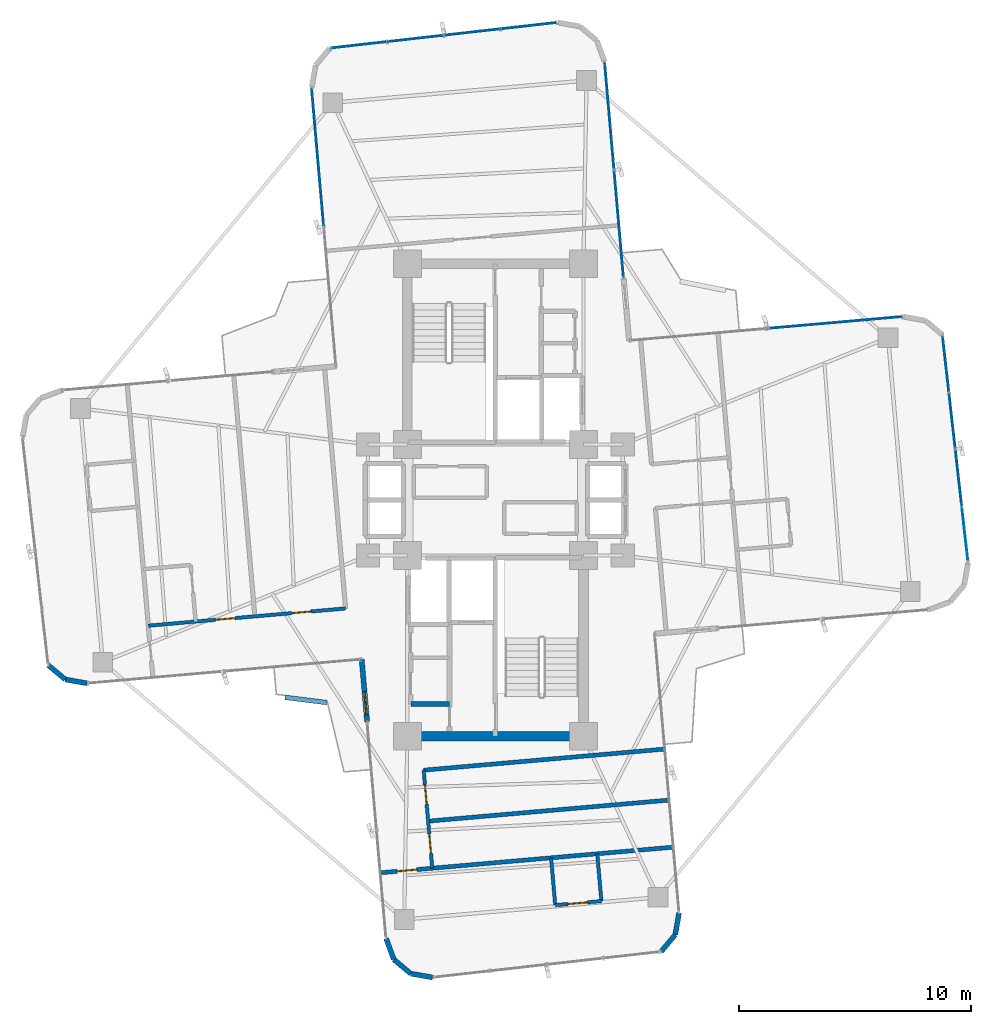
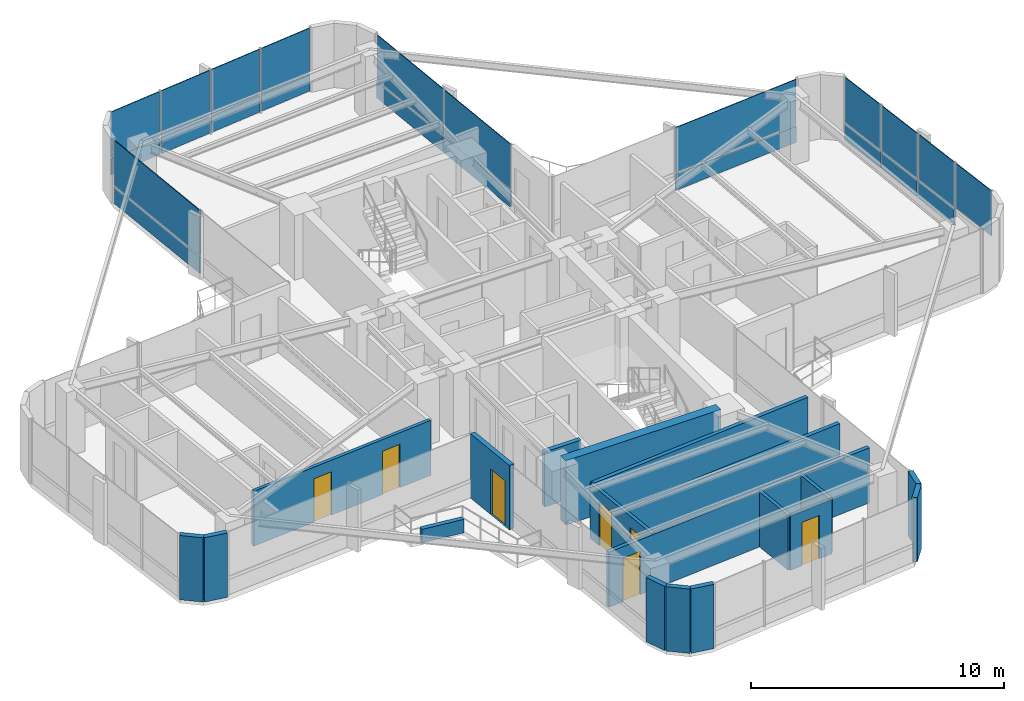
# One storey, part 20 of 24: 23 plates, 19 walls, 7 doors, 7 openings, 5 elements without a shape of their own.
"""IFC4 building model written with IfcOpenShell, lengths in metres."""

from ifc_helpers import new_model, si_unit, direction, frame, frame_2d, origin, origin_2d, place, context, subcontext, project, spatial, rectangle, extrude, source, transform, mapped, material, layer, layer_set, type_object, element, fill, aggregate, save


model = new_model("IFC4")

# Units and contexts
model_context = context("Model", 3, precision=1e-05, world=origin(), true_north=direction((0.0, 1.0)))
body_context = subcontext(model_context, "Body", "Model", "MODEL_VIEW")
ifc_project = project(units=[si_unit("LENGTHUNIT", "METRE"), si_unit("AREAUNIT", "SQUARE_METRE"), si_unit("VOLUMEUNIT", "CUBIC_METRE"), si_unit("PLANEANGLEUNIT", "RADIAN"), si_unit("MASSUNIT", "GRAM", prefix="KILO")], contexts=[model_context])

# Site, building, storey
site_placement = place(None, origin())
site = spatial("IfcSite", under=ifc_project, at=site_placement, CompositionType="ELEMENT")
building_placement = place(site_placement, origin())
building = spatial("IfcBuilding", under=site, at=building_placement, Name="Sahyath Konkavel Grand Hotel", CompositionType="ELEMENT")
storey_placement = place(building_placement, frame((0.0, 0.0, 195.300048828125)))
storey = spatial("IfcBuildingStorey", under=building, at=storey_placement, Name="L54", CompositionType="ELEMENT", Elevation=195.300048828125)

# Curtain wall, plates
ifc_material_1 = material(Name="Anodised Bronze Aluminium & Low-E Glazing", Category="aluminium")
curtain_wall_type = type_object("IfcCurtainWallType", Name="CW-ZONE3", PredefinedType="NOTDEFINED", material=ifc_material_1)
curtain_wall_1_placement = place(storey_placement, origin())
curtain_wall_1 = element("IfcCurtainWall", 1, at=curtain_wall_1_placement, inside=storey, type_object=curtain_wall_type, Name="L54 Unitised Curtain Wall F4", PredefinedType="NOTDEFINED")
ifc_material_2 = material(Name="Warm Buff Sandstone Cladding", Category="masonry")
ifc_layer_1 = layer(ifc_material_2, 0.074951171875)
ifc_layer_set_1 = layer_set([ifc_layer_1], Name="Warm Buff Sandstone Cladding")
plate_type_1 = type_object("IfcPlateType", Name="PNL-SPANDREL-STONE", PredefinedType="SHEET", material=ifc_layer_set_1)
shared_shape_1 = source(origin(), body_context, "Body", "SweptSolid", [
    extrude(rectangle(XDim=2.382080078125, YDim=0.074951171875, at=origin_2d()), origin(), (0.0, 0.0, 1.0), 0.77001953125),
])
plate_1_placement = place(storey_placement, frame((19.99755859375, 0.978515625, 0.0400390625), z_axis=(0.0, 0.0, 1.0), x_axis=(-0.111989252568, 0.993709417943, 0.0)))
plate_1 = element("IfcPlate", 2, at=plate_1_placement, type_object=plate_type_1, Name="L54 Sandstone Relief Spandrel Panel F4-1", PredefinedType="SHEET", context=body_context, shape_type="MappedRepresentation", body=[
    mapped(shared_shape_1, transform((0.0, 0.0, 0.0), scale=1.0)),
])
plate_2_placement = place(storey_placement, frame((19.7216796875, 3.425048828125, 0.0400390625), z_axis=(0.0, 0.0, 1.0), x_axis=(-0.111989252568, 0.993709417943, 0.0)))
plate_2 = element("IfcPlate", 3, at=plate_2_placement, type_object=plate_type_1, Name="L54 Sandstone Relief Spandrel Panel F4-2", PredefinedType="SHEET", context=body_context, shape_type="MappedRepresentation", body=[
    mapped(shared_shape_1, transform((0.0, 0.0, 0.0), scale=1.0)),
])
plate_3_placement = place(storey_placement, frame((19.446044921875, 5.87158203125, 0.0400390625), z_axis=(0.0, 0.0, 1.0), x_axis=(-0.111989252568, 0.993709417943, 0.0)))
plate_3 = element("IfcPlate", 4, at=plate_3_placement, type_object=plate_type_1, Name="L54 Sandstone Relief Spandrel Panel F4-3", PredefinedType="SHEET", context=body_context, shape_type="MappedRepresentation", body=[
    mapped(shared_shape_1, transform((0.0, 0.0, 0.0), scale=1.0)),
])

curtain_wall_2_placement = place(storey_placement, origin())
curtain_wall_2 = element("IfcCurtainWall", 5, at=curtain_wall_2_placement, inside=storey, type_object=curtain_wall_type, Name="L54 Unitised Curtain Wall F12", PredefinedType="NOTDEFINED")
plate_4_placement = place(storey_placement, frame((1.45068359375, 20.47265625, 0.0400390625), z_axis=(0.0, 0.0, 1.0), x_axis=(-0.993707463211, -0.112006596052, 0.0)))
plate_4 = element("IfcPlate", 6, at=plate_4_placement, type_object=plate_type_1, Name="L54 Sandstone Relief Spandrel Panel F12-0", PredefinedType="SHEET", context=body_context, shape_type="MappedRepresentation", body=[
    mapped(shared_shape_1, transform((0.0, 0.0, 0.0), scale=1.0)),
])
plate_5_placement = place(storey_placement, frame((-0.995849609375, 20.197021484375, 0.0400390625), z_axis=(0.0, 0.0, 1.0), x_axis=(-0.993707463211, -0.112006596052, 0.0)))
plate_5 = element("IfcPlate", 7, at=plate_5_placement, type_object=plate_type_1, Name="L54 Sandstone Relief Spandrel Panel F12-1", PredefinedType="SHEET", context=body_context, shape_type="MappedRepresentation", body=[
    mapped(shared_shape_1, transform((0.0, 0.0, 0.0), scale=1.0)),
])
plate_6_placement = place(storey_placement, frame((-3.4423828125, 19.921142578125, 0.0400390625), z_axis=(0.0, 0.0, 1.0), x_axis=(-0.993707463211, -0.112006596052, 0.0)))
plate_6 = element("IfcPlate", 8, at=plate_6_placement, type_object=plate_type_1, Name="L54 Sandstone Relief Spandrel Panel F12-2", PredefinedType="SHEET", context=body_context, shape_type="MappedRepresentation", body=[
    mapped(shared_shape_1, transform((0.0, 0.0, 0.0), scale=1.0)),
])
plate_7_placement = place(storey_placement, frame((-5.888916015625, 19.6455078125, 0.0400390625), z_axis=(0.0, 0.0, 1.0), x_axis=(-0.993707463211, -0.112006596052, 0.0)))
plate_7 = element("IfcPlate", 9, at=plate_7_placement, type_object=plate_type_1, Name="L54 Sandstone Relief Spandrel Panel F12-3", PredefinedType="SHEET", context=body_context, shape_type="MappedRepresentation", body=[
    mapped(shared_shape_1, transform((0.0, 0.0, 0.0), scale=1.0)),
])

# Curtain wall, plate
curtain_wall_3_placement = place(storey_placement, origin())
curtain_wall_3 = element("IfcCurtainWall", 10, at=curtain_wall_3_placement, inside=storey, type_object=curtain_wall_type, Name="L54 Unitised Curtain Wall F7", PredefinedType="NOTDEFINED")
shared_shape_2 = source(origin(), body_context, "Body", "SweptSolid", [
    extrude(rectangle(XDim=5.830078125, YDim=0.074951171875, at=origin_2d()), origin(), (0.0, 0.0, 1.0), 0.77001953125),
])
plate_8_placement = place(storey_placement, frame((14.6435546875, 7.655517578125, 0.0400390625), z_axis=(0.0, 0.0, 1.0), x_axis=(-0.996194698092, -0.087155742748, 0.0)))
plate_8 = element("IfcPlate", 11, at=plate_8_placement, type_object=plate_type_1, Name="L54 Sandstone Relief Spandrel Panel F7-0", PredefinedType="SHEET", context=body_context, shape_type="MappedRepresentation", body=[
    mapped(shared_shape_2, transform((0.0, 0.0, 0.0), scale=1.0)),
])

# Curtain wall, plates
curtain_wall_4_placement = place(storey_placement, origin())
curtain_wall_4 = element("IfcCurtainWall", 12, at=curtain_wall_4_placement, inside=storey, type_object=curtain_wall_type, Name="L54 Unitised Curtain Wall F8", PredefinedType="NOTDEFINED")
shared_shape_3 = source(origin(), body_context, "Body", "SweptSolid", [
    extrude(rectangle(XDim=4.580078125, YDim=0.074951171875, at=origin_2d()), origin(), (0.0, 0.0, 1.0), 0.77001953125),
])
plate_9_placement = place(storey_placement, frame((5.33056640625, 11.929931640625, 0.0400390625), z_axis=(0.0, 0.0, 1.0), x_axis=(-0.087155742748, 0.996194698092, 0.0)))
plate_9 = element("IfcPlate", 13, at=plate_9_placement, type_object=plate_type_1, Name="L54 Sandstone Relief Spandrel Panel F8-0", PredefinedType="SHEET", context=body_context, shape_type="MappedRepresentation", body=[
    mapped(shared_shape_3, transform((0.0, 0.0, 0.0), scale=1.0)),
])
plate_10_placement = place(storey_placement, frame((4.92431640625, 16.572265625, 0.0400390625), z_axis=(0.0, 0.0, 1.0), x_axis=(-0.087155742748, 0.996194698092, 0.0)))
plate_10 = element("IfcPlate", 14, at=plate_10_placement, type_object=plate_type_1, Name="L54 Sandstone Relief Spandrel Panel F8-1", PredefinedType="SHEET", context=body_context, shape_type="MappedRepresentation", body=[
    mapped(shared_shape_3, transform((0.0, 0.0, 0.0), scale=1.0)),
])

# Curtain wall, plate
curtain_wall_5_placement = place(storey_placement, origin())
curtain_wall_5 = element("IfcCurtainWall", 15, at=curtain_wall_5_placement, inside=storey, type_object=curtain_wall_type, Name="L54 Unitised Curtain Wall F15", PredefinedType="NOTDEFINED")
shared_shape_4 = source(origin(), body_context, "Body", "SweptSolid", [
    extrude(rectangle(XDim=5.929931640625, YDim=0.074951171875, at=origin_2d()), origin(), (0.0, 0.0, 1.0), 0.77001953125),
])
plate_11_placement = place(storey_placement, frame((-7.66845703125, 14.79296875, 0.0400390625), z_axis=(0.0, 0.0, 1.0), x_axis=(0.087155742748, -0.996194698092, 0.0)))
plate_11 = element("IfcPlate", 16, at=plate_11_placement, type_object=plate_type_1, Name="L54 Sandstone Relief Spandrel Panel F15-0", PredefinedType="SHEET", context=body_context, shape_type="MappedRepresentation", body=[
    mapped(shared_shape_4, transform((0.0, 0.0, 0.0), scale=1.0)),
])

# Plate
ifc_material_3 = material(Name="Low-E Solar Control Double Glazing", Category="glass")
ifc_layer_2 = layer(ifc_material_3, 0.035888671875)
ifc_layer_set_2 = layer_set([ifc_layer_2], Name="Low-E Solar Control Double Glazing")
plate_type_2 = type_object("IfcPlateType", Name="PNL-VISION-LOWE", PredefinedType="CURTAIN_PANEL", material=ifc_layer_set_2)
shared_shape_5 = source(origin(), body_context, "Body", "SweptSolid", [
    extrude(rectangle(XDim=2.382080078125, YDim=0.035888671875, at=origin_2d()), origin(), (0.0, 0.0, 1.0), 2.179931640625),
])
plate_12_placement = place(storey_placement, frame((20.2734375, -1.468017578125, 0.89013671875), z_axis=(0.0, 0.0, 1.0), x_axis=(-0.111989252568, 0.993709417943, 0.0)))
plate_12 = element("IfcPlate", 17, at=plate_12_placement, type_object=plate_type_2, Name="L54 Low-E Vision Glazing Panel F4-0", PredefinedType="CURTAIN_PANEL", context=body_context, shape_type="MappedRepresentation", body=[
    mapped(shared_shape_5, transform((0.0, 0.0, 0.0), scale=1.0)),
])

plate_13_placement = place(storey_placement, frame((19.99755859375, 0.978515625, 0.89013671875), z_axis=(0.0, 0.0, 1.0), x_axis=(-0.111989252568, 0.993709417943, 0.0)))
plate_13 = element("IfcPlate", 18, at=plate_13_placement, type_object=plate_type_2, Name="L54 Low-E Vision Glazing Panel F4-1", PredefinedType="CURTAIN_PANEL", context=body_context, shape_type="MappedRepresentation", body=[
    mapped(shared_shape_5, transform((0.0, 0.0, 0.0), scale=1.0)),
])

plate_14_placement = place(storey_placement, frame((19.7216796875, 3.425048828125, 0.89013671875), z_axis=(0.0, 0.0, 1.0), x_axis=(-0.111989252568, 0.993709417943, 0.0)))
plate_14 = element("IfcPlate", 19, at=plate_14_placement, type_object=plate_type_2, Name="L54 Low-E Vision Glazing Panel F4-2", PredefinedType="CURTAIN_PANEL", context=body_context, shape_type="MappedRepresentation", body=[
    mapped(shared_shape_5, transform((0.0, 0.0, 0.0), scale=1.0)),
])

plate_15_placement = place(storey_placement, frame((19.446044921875, 5.87158203125, 0.89013671875), z_axis=(0.0, 0.0, 1.0), x_axis=(-0.111989252568, 0.993709417943, 0.0)))
plate_15 = element("IfcPlate", 20, at=plate_15_placement, type_object=plate_type_2, Name="L54 Low-E Vision Glazing Panel F4-3", PredefinedType="CURTAIN_PANEL", context=body_context, shape_type="MappedRepresentation", body=[
    mapped(shared_shape_5, transform((0.0, 0.0, 0.0), scale=1.0)),
])

aggregate(curtain_wall_1, [plate_12, plate_1, plate_13, plate_2, plate_14, plate_3, plate_15])

plate_16_placement = place(storey_placement, frame((1.45068359375, 20.47265625, 0.89013671875), z_axis=(0.0, 0.0, 1.0), x_axis=(-0.993707463211, -0.112006596052, 0.0)))
plate_16 = element("IfcPlate", 21, at=plate_16_placement, type_object=plate_type_2, Name="L54 Low-E Vision Glazing Panel F12-0", PredefinedType="CURTAIN_PANEL", context=body_context, shape_type="MappedRepresentation", body=[
    mapped(shared_shape_5, transform((0.0, 0.0, 0.0), scale=1.0)),
])

plate_17_placement = place(storey_placement, frame((-0.995849609375, 20.197021484375, 0.89013671875), z_axis=(0.0, 0.0, 1.0), x_axis=(-0.993707463211, -0.112006596052, 0.0)))
plate_17 = element("IfcPlate", 22, at=plate_17_placement, type_object=plate_type_2, Name="L54 Low-E Vision Glazing Panel F12-1", PredefinedType="CURTAIN_PANEL", context=body_context, shape_type="MappedRepresentation", body=[
    mapped(shared_shape_5, transform((0.0, 0.0, 0.0), scale=1.0)),
])

plate_18_placement = place(storey_placement, frame((-3.4423828125, 19.921142578125, 0.89013671875), z_axis=(0.0, 0.0, 1.0), x_axis=(-0.993707463211, -0.112006596052, 0.0)))
plate_18 = element("IfcPlate", 23, at=plate_18_placement, type_object=plate_type_2, Name="L54 Low-E Vision Glazing Panel F12-2", PredefinedType="CURTAIN_PANEL", context=body_context, shape_type="MappedRepresentation", body=[
    mapped(shared_shape_5, transform((0.0, 0.0, 0.0), scale=1.0)),
])

plate_19_placement = place(storey_placement, frame((-5.888916015625, 19.6455078125, 0.89013671875), z_axis=(0.0, 0.0, 1.0), x_axis=(-0.993707463211, -0.112006596052, 0.0)))
plate_19 = element("IfcPlate", 24, at=plate_19_placement, type_object=plate_type_2, Name="L54 Low-E Vision Glazing Panel F12-3", PredefinedType="CURTAIN_PANEL", context=body_context, shape_type="MappedRepresentation", body=[
    mapped(shared_shape_5, transform((0.0, 0.0, 0.0), scale=1.0)),
])

aggregate(curtain_wall_2, [plate_4, plate_16, plate_5, plate_17, plate_6, plate_18, plate_7, plate_19])

shared_shape_6 = source(origin(), body_context, "Body", "SweptSolid", [
    extrude(rectangle(XDim=5.830078125, YDim=0.035888671875, at=origin_2d()), origin(), (0.0, 0.0, 1.0), 2.179931640625),
])
plate_20_placement = place(storey_placement, frame((14.6435546875, 7.655517578125, 0.89013671875), z_axis=(0.0, 0.0, 1.0), x_axis=(-0.996194698092, -0.087155742748, 0.0)))
plate_20 = element("IfcPlate", 25, at=plate_20_placement, type_object=plate_type_2, Name="L54 Low-E Vision Glazing Panel F7-0", PredefinedType="CURTAIN_PANEL", context=body_context, shape_type="MappedRepresentation", body=[
    mapped(shared_shape_6, transform((0.0, 0.0, 0.0), scale=1.0)),
])

aggregate(curtain_wall_3, [plate_8, plate_20])

shared_shape_7 = source(origin(), body_context, "Body", "SweptSolid", [
    extrude(rectangle(XDim=4.580078125, YDim=0.035888671875, at=origin_2d()), origin(), (0.0, 0.0, 1.0), 2.179931640625),
])
plate_21_placement = place(storey_placement, frame((5.33056640625, 11.929931640625, 0.89013671875), z_axis=(0.0, 0.0, 1.0), x_axis=(-0.087155742748, 0.996194698092, 0.0)))
plate_21 = element("IfcPlate", 26, at=plate_21_placement, type_object=plate_type_2, Name="L54 Low-E Vision Glazing Panel F8-0", PredefinedType="CURTAIN_PANEL", context=body_context, shape_type="MappedRepresentation", body=[
    mapped(shared_shape_7, transform((0.0, 0.0, 0.0), scale=1.0)),
])

plate_22_placement = place(storey_placement, frame((4.92431640625, 16.572265625, 0.89013671875), z_axis=(0.0, 0.0, 1.0), x_axis=(-0.087155742748, 0.996194698092, 0.0)))
plate_22 = element("IfcPlate", 27, at=plate_22_placement, type_object=plate_type_2, Name="L54 Low-E Vision Glazing Panel F8-1", PredefinedType="CURTAIN_PANEL", context=body_context, shape_type="MappedRepresentation", body=[
    mapped(shared_shape_7, transform((0.0, 0.0, 0.0), scale=1.0)),
])

aggregate(curtain_wall_4, [plate_9, plate_21, plate_10, plate_22])

shared_shape_8 = source(origin(), body_context, "Body", "SweptSolid", [
    extrude(rectangle(XDim=5.929931640625, YDim=0.035888671875, at=origin_2d()), origin(), (0.0, 0.0, 1.0), 2.179931640625),
])
plate_23_placement = place(storey_placement, frame((-7.66845703125, 14.79296875, 0.89013671875), z_axis=(0.0, 0.0, 1.0), x_axis=(0.087155742748, -0.996194698092, 0.0)))
plate_23 = element("IfcPlate", 28, at=plate_23_placement, type_object=plate_type_2, Name="L54 Low-E Vision Glazing Panel F15-0", PredefinedType="CURTAIN_PANEL", context=body_context, shape_type="MappedRepresentation", body=[
    mapped(shared_shape_8, transform((0.0, 0.0, 0.0), scale=1.0)),
])

aggregate(curtain_wall_5, [plate_11, plate_23])

# Walls
ifc_material_4 = material(Name="Concrete C50/60", Category="concrete")
ifc_layer_3 = layer(ifc_material_4, 0.419921875)
ifc_layer_set_3 = layer_set([ifc_layer_3], Name="Concrete C50/60")
wall_type_1 = type_object("IfcWallType", Name="CWALL-420", PredefinedType="SHEAR", material=ifc_layer_set_3)
wall_1_placement = place(storey_placement, frame((-3.550048828125, -10.199951171875, 0.0), z_axis=(0.0, 0.0, 1.0), x_axis=(1.0, 0.0, 0.0)))
element("IfcWall", 29, at=wall_1_placement, inside=storey, type_object=wall_type_1, Name="L54 South Core Shear Wall S", PredefinedType="SHEAR", context=body_context, shape_type="SweptSolid", body=[
    extrude(rectangle(XDim=7.10009765625, YDim=0.419921875, at=frame_2d((3.550048828125, 0.0))), origin(), (0.0, 0.0, 1.0), 3.10986328125),
])
ifc_material_5 = material(Name="Warm Buff Sandstone Insulated Concrete C40/50", Category="masonry")
ifc_layer_4 = layer(ifc_material_5, 0.219970703125)
ifc_layer_set_4 = layer_set([ifc_layer_4], Name="Warm Buff Sandstone Insulated Concrete C40/50")
wall_type_2 = type_object("IfcWallType", Name="WLL-BALC-THRESH", PredefinedType="STANDARD", material=ifc_layer_set_4)
wall_2_placement = place(storey_placement, frame((-19.3037109375, -7.134521484375, 0.0), z_axis=(0.0, 0.0, 1.0), x_axis=(0.766001159887, -0.642839189107, 0.0)))
element("IfcWall", 30, at=wall_2_placement, inside=storey, type_object=wall_type_2, Name="L54 Rounded Corner Sandstone Pier 21", PredefinedType="STANDARD", context=body_context, shape_type="SweptSolid", body=[
    extrude(rectangle(XDim=0.95751953125, YDim=0.219970703125, at=frame_2d((0.478759765625, 0.0))), origin(), (0.0, 0.0, 1.0), 3.10986328125),
])
wall_3_placement = place(storey_placement, frame((-18.5703125, -7.75, 0.0), z_axis=(0.0, 0.0, 1.0), x_axis=(0.984770724397, -0.173858046606, 0.0)))
element("IfcWall", 31, at=wall_3_placement, inside=storey, type_object=wall_type_2, Name="L54 Rounded Corner Sandstone Pier 22", PredefinedType="STANDARD", context=body_context, shape_type="SweptSolid", body=[
    extrude(rectangle(XDim=0.957763671875, YDim=0.219970703125, at=frame_2d((0.47900390625, 0.0))), origin(), (0.0, 0.0, 1.0), 3.10986328125),
])

# Wall, opening, door
wall_4_placement = place(storey_placement, frame((-5.7724609375, -6.87939453125, 0.0), z_axis=(0.0, 0.0, 1.0), x_axis=(0.087168071984, -0.996193619346, 0.0)))
wall_4 = element("IfcWall", 32, at=wall_4_placement, inside=storey, type_object=wall_type_2, Name="L54 Winter-Garden Threshold Wall 24", PredefinedType="STANDARD", context=body_context, shape_type="SweptSolid", body=[
    extrude(rectangle(XDim=2.699951171875, YDim=0.219970703125, at=frame_2d((1.35009765625, 0.0))), origin(), (0.0, 0.0, 1.0), 3.10986328125),
])
opening_1_placement = place(wall_4_placement, frame((1.39990234375, 0.0, 0.0)))
opening_1 = element("IfcOpeningElement", 33, at=opening_1_placement, cuts=wall_4, Name="Opening D-TR1", PredefinedType="OPENING", context=body_context, shape_type="SweptSolid", body=[
    extrude(rectangle(XDim=1.0, YDim=2.199951171875, at=frame_2d((0.5, 1.10009765625))), frame((0.0, 0.1201171875, 0.0), z_axis=(0.0, -1.0, 0.0), x_axis=(1.0, 0.0, 0.0)), (0.0, 0.0, 1.0), 0.239990234375),
])
door_type_1 = type_object("IfcDoorType", Name="DR-TERRACE-1000", OperationType="NOTDEFINED", PredefinedType="DOOR", material=ifc_material_1)
shared_shape_9 = source(origin(), body_context, "Body", "SweptSolid", [
    extrude(rectangle(XDim=1.0, YDim=0.050048828125, at=origin_2d()), origin(), (0.0, 0.0, 1.0), 2.199951171875),
])
door_1_placement = place(opening_1_placement, frame((0.5, 0.0, 0.0)))
door_1 = element("IfcDoor", 34, at=door_1_placement, inside=storey, type_object=door_type_1, Name="L54 Winter-Garden Terrace Door 24", OperationType="SINGLE_SWING_LEFT", OverallHeight=2.199951171875, OverallWidth=1.0, PredefinedType="DOOR", context=body_context, shape_type="MappedRepresentation", body=[
    mapped(shared_shape_9, transform((0.0, 0.0, 0.0), scale=1.0)),
])
fill(opening_1, door_1)

# Walls
wall_5_placement = place(storey_placement, frame((-4.7177734375, -18.93310546875, 0.0), z_axis=(0.0, 0.0, 1.0), x_axis=(0.34188635151, -0.939741306239, 0.0)))
element("IfcWall", 35, at=wall_5_placement, inside=storey, type_object=wall_type_2, Name="L54 Rounded Corner Sandstone Pier 25", PredefinedType="STANDARD", context=body_context, shape_type="SweptSolid", body=[
    extrude(rectangle(XDim=0.95751953125, YDim=0.219970703125, at=frame_2d((0.478759765625, 0.0))), origin(), (0.0, 0.0, 1.0), 3.10986328125),
])
for number, where, z_axis, x_axis, name in (
    (36, (-4.390380859375, -19.8330078125, 0.0), (0.0, 0.0, 1.0), (0.765980978054, -0.642863236823, 0.0), "L54 Rounded Corner Sandstone Pier 26"),
    (37, (-3.65673828125, -20.44873046875, 0.0), (0.0, 0.0, 1.0), (0.984814340885, -0.173610811841, 0.0), "L54 Rounded Corner Sandstone Pier 27"),
):
    element("IfcWall", number, at=place(storey_placement, frame(where, z_axis=z_axis, x_axis=x_axis)), inside=storey, type_object=wall_type_2, Name=name, PredefinedType="STANDARD", context=body_context, shape_type="SweptSolid", body=[
        extrude(rectangle(XDim=0.957763671875, YDim=0.219970703125, at=frame_2d((0.47900390625, 0.0))), origin(), (0.0, 0.0, 1.0), 3.10986328125),
    ])
for number, where, z_axis, x_axis, name in (
    (38, (7.152099609375, -19.5029296875, 0.0), (0.0, 0.0, 1.0), (0.642713642115, 0.766106503196, 0.0), "L54 Rounded Corner Sandstone Pier 29"),
    (39, (7.767578125, -18.769287109375, 0.0), (0.0, 0.0, 1.0), (0.173654409999, 0.984806654064, 0.0), "L54 Rounded Corner Sandstone Pier 30"),
):
    element("IfcWall", number, at=place(storey_placement, frame(where, z_axis=z_axis, x_axis=x_axis)), inside=storey, type_object=wall_type_2, Name=name, PredefinedType="STANDARD", context=body_context, shape_type="SweptSolid", body=[
        extrude(rectangle(XDim=0.95751953125, YDim=0.219970703125, at=frame_2d((0.478759765625, 0.0))), origin(), (0.0, 0.0, 1.0), 3.10986328125),
    ])
ifc_material_6 = material(Name="Concrete C40/50", Category="concrete")
ifc_layer_5 = layer(ifc_material_6, 0.199951171875)
ifc_layer_set_5 = layer_set([ifc_layer_5], Name="Concrete C40/50")
wall_type_3 = type_object("IfcWallType", Name="WLL-CORE-200", PredefinedType="SOLIDWALL", material=ifc_layer_set_5)
wall_6_placement = place(storey_placement, frame((-3.64990234375, -8.81005859375, 0.0), z_axis=(0.0, 0.0, 1.0), x_axis=(1.0, 0.0, 0.0)))
element("IfcWall", 40, at=wall_6_placement, inside=storey, type_object=wall_type_3, Name="L54 Partition SC-REC-S", PredefinedType="SOLIDWALL", context=body_context, shape_type="SweptSolid", body=[
    extrude(rectangle(XDim=1.669921875, YDim=0.199951171875, at=frame_2d((0.8349609375, 0.0))), origin(), (0.0, 0.0, 1.0), 2.659912109375),
])
ifc_material_7 = material(Name="Twin-Stud Acoustic Gypsum Plasterboard Partition")
ifc_layer_6 = layer(ifc_material_7, 0.179931640625)
ifc_layer_set_6 = layer_set([ifc_layer_6], Name="Twin-Stud Acoustic Gypsum Plasterboard Partition")
wall_type_4 = type_object("IfcWallType", Name="WLL-DEMISE-180", PredefinedType="PARTITIONING", material=ifc_layer_set_6)
wall_7_placement = place(storey_placement, frame((-3.09521484375, -11.6640625, 0.0), z_axis=(0.0, 0.0, 1.0), x_axis=(0.996196061386, 0.087140158824, 0.0)))
element("IfcWall", 41, at=wall_7_placement, inside=storey, type_object=wall_type_4, Name="L54 Partition S-G6I", PredefinedType="PARTITIONING", context=body_context, shape_type="SweptSolid", body=[
    extrude(rectangle(XDim=10.39990234375, YDim=0.179931640625, at=frame_2d((5.199951171875, 0.0))), origin(), (0.0, 0.0, 1.0), 2.659912109375),
])
wall_8_placement = place(storey_placement, frame((-2.902587890625, -13.86572265625, 0.0), z_axis=(0.0, 0.0, 1.0), x_axis=(0.996194201607, 0.087161417409, 0.0)))
element("IfcWall", 42, at=wall_8_placement, inside=storey, type_object=wall_type_4, Name="L54 Partition S-SSL6-DEM", PredefinedType="PARTITIONING", context=body_context, shape_type="SweptSolid", body=[
    extrude(rectangle(XDim=10.400146484375, YDim=0.179931640625, at=frame_2d((5.2001953125, 0.0))), origin(), (0.0, 0.0, 1.0), 2.659912109375),
])

# Wall, opening, door
wall_9_placement = place(storey_placement, frame((-4.91650390625, -16.089599609375, 0.0), z_axis=(0.0, 0.0, 1.0), x_axis=(0.996196619285, 0.087133780622, 0.0)))
wall_9 = element("IfcWall", 43, at=wall_9_placement, inside=storey, type_object=wall_type_4, Name="L54 Partition S-STIP-END", PredefinedType="PARTITIONING", context=body_context, shape_type="SweptSolid", body=[
    extrude(rectangle(XDim=12.60009765625, YDim=0.179931640625, at=frame_2d((6.300048828125, 0.0))), origin(), (0.0, 0.0, 1.0), 2.659912109375),
])
opening_2_placement = place(wall_9_placement, frame((0.675048828125, 0.0, 0.0)))
opening_2 = element("IfcOpeningElement", 44, at=opening_2_placement, cuts=wall_9, Name="Opening D-F06D", PredefinedType="OPENING", context=body_context, shape_type="SweptSolid", body=[
    extrude(rectangle(XDim=0.85009765625, YDim=2.10009765625, at=frame_2d((0.425048828125, 1.050048828125))), frame((0.0, 0.10009765625, 0.0), z_axis=(0.0, -1.0, 0.0), x_axis=(1.0, 0.0, 0.0)), (0.0, 0.0, 1.0), 0.199951171875),
])
ifc_material_8 = material(Name="Fire-Rated Shaft Access Door")
door_type_2 = type_object("IfcDoorType", Name="DR-FD60-850", OperationType="NOTDEFINED", PredefinedType="DOOR", material=ifc_material_8)
shared_shape_10 = source(origin(), body_context, "Body", "SweptSolid", [
    extrude(rectangle(XDim=0.85009765625, YDim=0.050048828125, at=origin_2d()), origin(), (0.0, 0.0, 1.0), 2.10009765625),
])
door_2_placement = place(opening_2_placement, frame((0.425048828125, 0.0, 0.0)))
door_2 = element("IfcDoor", 45, at=door_2_placement, inside=storey, type_object=door_type_2, Name="L54 Door S-STIP-ED", OperationType="SINGLE_SWING_RIGHT", OverallHeight=2.10009765625, OverallWidth=0.85009765625, PredefinedType="DOOR", context=body_context, shape_type="MappedRepresentation", body=[
    mapped(shared_shape_10, transform((0.0, 0.0, 0.0), scale=1.0)),
])
fill(opening_2, door_2)

# Wall, openings, doors
ifc_material_9 = material(Name="Fire-Rated Gypsum Plasterboard Partition")
ifc_layer_7 = layer(ifc_material_9, 0.14990234375)
ifc_layer_set_7 = layer_set([ifc_layer_7], Name="Fire-Rated Gypsum Plasterboard Partition")
wall_type_5 = type_object("IfcWallType", Name="WLL-PART-150", PredefinedType="PARTITIONING", material=ifc_layer_set_7)
wall_10_placement = place(storey_placement, frame((-6.466552734375, -4.681396484375, 0.0), z_axis=(0.0, 0.0, 1.0), x_axis=(-0.996195452949, -0.087147114263, 0.0)))
wall_10 = element("IfcWall", 46, at=wall_10_placement, inside=storey, type_object=wall_type_5, Name="L54 Partition W-G5W", PredefinedType="PARTITIONING", context=body_context, shape_type="SweptSolid", body=[
    extrude(rectangle(XDim=8.550048828125, YDim=0.14990234375, at=frame_2d((4.27490234375, 0.0))), origin(), (0.0, 0.0, 1.0), 2.659912109375),
])
opening_3_placement = place(wall_10_placement, frame((1.490966796875, 0.0, 0.0)))
opening_3 = element("IfcOpeningElement", 47, at=opening_3_placement, cuts=wall_10, Name="Opening D-F06D", PredefinedType="OPENING", context=body_context, shape_type="SweptSolid", body=[
    extrude(rectangle(XDim=0.85009765625, YDim=2.10009765625, at=frame_2d((0.425048828125, 1.050048828125))), frame((0.0, 0.0849609375, 0.0), z_axis=(0.0, -1.0, 0.0), x_axis=(1.0, 0.0, 0.0)), (0.0, 0.0, 1.0), 0.169921875),
])
opening_4_placement = place(wall_10_placement, frame((4.7919921875, 0.0, 0.0)))
opening_4 = element("IfcOpeningElement", 48, at=opening_4_placement, cuts=wall_10, Name="Opening D-F06D", PredefinedType="OPENING", context=body_context, shape_type="SweptSolid", body=[
    extrude(rectangle(XDim=0.85009765625, YDim=2.10009765625, at=frame_2d((0.425048828125, 1.050048828125))), frame((0.0, 0.0849609375, 0.0), z_axis=(0.0, -1.0, 0.0), x_axis=(1.0, 0.0, 0.0)), (0.0, 0.0, 1.0), 0.169921875),
])
door_3_placement = place(opening_3_placement, frame((0.425048828125, 0.0, 0.0)))
door_3 = element("IfcDoor", 49, at=door_3_placement, inside=storey, type_object=door_type_2, Name="L54 Door W-WD1-D", OperationType="SINGLE_SWING_RIGHT", OverallHeight=2.10009765625, OverallWidth=0.85009765625, PredefinedType="DOOR", context=body_context, shape_type="MappedRepresentation", body=[
    mapped(shared_shape_10, transform((0.0, 0.0, 0.0), scale=1.0)),
])
fill(opening_3, door_3)
door_4_placement = place(opening_4_placement, frame((0.425048828125, 0.0, 0.0)))
door_4 = element("IfcDoor", 50, at=door_4_placement, inside=storey, type_object=door_type_2, Name="L54 Door W-WD2-ED", OperationType="SINGLE_SWING_RIGHT", OverallHeight=2.10009765625, OverallWidth=0.85009765625, PredefinedType="DOOR", context=body_context, shape_type="MappedRepresentation", body=[
    mapped(shared_shape_10, transform((0.0, 0.0, 0.0), scale=1.0)),
])
fill(opening_4, door_4)

wall_11_placement = place(storey_placement, frame((-3.09521484375, -11.6640625, 0.0), z_axis=(0.0, 0.0, 1.0), x_axis=(0.087142722004, -0.996195837173, 0.0)))
wall_11 = element("IfcWall", 51, at=wall_11_placement, inside=storey, type_object=wall_type_5, Name="L54 Partition S-G6W", PredefinedType="PARTITIONING", context=body_context, shape_type="SweptSolid", body=[
    extrude(rectangle(XDim=4.25, YDim=0.14990234375, at=frame_2d((2.125, 0.0))), origin(), (0.0, 0.0, 1.0), 2.659912109375),
])
opening_5_placement = place(wall_11_placement, frame((0.6298828125, 0.0, 0.0)))
opening_5 = element("IfcOpeningElement", 52, at=opening_5_placement, cuts=wall_11, Name="Opening D-F06D", PredefinedType="OPENING", context=body_context, shape_type="SweptSolid", body=[
    extrude(rectangle(XDim=0.85009765625, YDim=2.10009765625, at=frame_2d((0.425048828125, 1.050048828125))), frame((0.0, 0.0849609375, 0.0), z_axis=(0.0, -1.0, 0.0), x_axis=(1.0, 0.0, 0.0)), (0.0, 0.0, 1.0), 0.169921875),
])
opening_6_placement = place(wall_11_placement, frame((2.7548828125, 0.0, 0.0)))
opening_6 = element("IfcOpeningElement", 53, at=opening_6_placement, cuts=wall_11, Name="Opening D-F06D", PredefinedType="OPENING", context=body_context, shape_type="SweptSolid", body=[
    extrude(rectangle(XDim=0.85009765625, YDim=2.10009765625, at=frame_2d((0.425048828125, 1.050048828125))), frame((0.0, 0.0849609375, 0.0), z_axis=(0.0, -1.0, 0.0), x_axis=(1.0, 0.0, 0.0)), (0.0, 0.0, 1.0), 0.169921875),
])
door_5_placement = place(opening_5_placement, frame((0.425048828125, 0.0, 0.0)))
door_5 = element("IfcDoor", 54, at=door_5_placement, inside=storey, type_object=door_type_2, Name="L54 Door S-SSL6-D", OperationType="SINGLE_SWING_LEFT", OverallHeight=2.10009765625, OverallWidth=0.85009765625, PredefinedType="DOOR", context=body_context, shape_type="MappedRepresentation", body=[
    mapped(shared_shape_10, transform((0.0, 0.0, 0.0), scale=1.0)),
])
fill(opening_5, door_5)
door_6_placement = place(opening_6_placement, frame((0.425048828125, 0.0, 0.0)))
door_6 = element("IfcDoor", 55, at=door_6_placement, inside=storey, type_object=door_type_2, Name="L54 Door S-SD6-D", OperationType="SINGLE_SWING_RIGHT", OverallHeight=2.10009765625, OverallWidth=0.85009765625, PredefinedType="DOOR", context=body_context, shape_type="MappedRepresentation", body=[
    mapped(shared_shape_10, transform((0.0, 0.0, 0.0), scale=1.0)),
])
fill(opening_6, door_6)

# Walls
for number, where, z_axis, x_axis, name in (
    (56, (4.39794921875, -15.27490234375, 0.0), (0.0, 0.0, 1.0), (0.087184680235, -0.996192165966, 0.0), "L54 Partition S-STIP-BN"),
    (57, (2.405517578125, -15.44921875, 0.0), (0.0, 0.0, 1.0), (0.087184680235, -0.996192165966, 0.0), "L54 Partition S-STIP-BS"),
):
    element("IfcWall", number, at=place(storey_placement, frame(where, z_axis=z_axis, x_axis=x_axis)), inside=storey, type_object=wall_type_5, Name=name, PredefinedType="PARTITIONING", context=body_context, shape_type="SweptSolid", body=[
        extrude(rectangle(XDim=2.0498046875, YDim=0.14990234375, at=frame_2d((1.02490234375, 0.0))), origin(), (0.0, 0.0, 1.0), 2.659912109375),
    ])

# Wall, opening, door
wall_12_placement = place(storey_placement, frame((2.584228515625, -17.4912109375, 0.0), z_axis=(0.0, 0.0, 1.0), x_axis=(0.99619464492, 0.087156350505, 0.0)))
wall_12 = element("IfcWall", 58, at=wall_12_placement, inside=storey, type_object=wall_type_5, Name="L54 Partition S-STIP-BE", PredefinedType="PARTITIONING", context=body_context, shape_type="SweptSolid", body=[
    extrude(rectangle(XDim=2.0, YDim=0.14990234375, at=frame_2d((1.0, 0.0))), origin(), (0.0, 0.0, 1.0), 2.6298828125),
])
opening_7_placement = place(wall_12_placement, frame((0.550048828125, 0.0, 0.0)))
opening_7 = element("IfcOpeningElement", 59, at=opening_7_placement, cuts=wall_12, Name="Opening D-BT85", PredefinedType="OPENING", context=body_context, shape_type="SweptSolid", body=[
    extrude(rectangle(XDim=0.85009765625, YDim=2.10009765625, at=frame_2d((0.425048828125, 1.050048828125))), frame((0.0, 0.0849609375, 0.0), z_axis=(0.0, -1.0, 0.0), x_axis=(1.0, 0.0, 0.0)), (0.0, 0.0, 1.0), 0.169921875),
])
ifc_material_10 = material(Name="Moisture-Resistant Teak Bathroom Door")
door_type_3 = type_object("IfcDoorType", Name="DR-BATH-850", OperationType="NOTDEFINED", PredefinedType="DOOR", material=ifc_material_10)
door_7_placement = place(opening_7_placement, frame((0.425048828125, 0.0, 0.0)))
door_7 = element("IfcDoor", 60, at=door_7_placement, inside=storey, type_object=door_type_3, Name="L54 Door S-STIP-BD", OperationType="SINGLE_SWING_LEFT", OverallHeight=2.10009765625, OverallWidth=0.85009765625, PredefinedType="DOOR", context=body_context, shape_type="MappedRepresentation", body=[
    mapped(shared_shape_10, transform((0.0, 0.0, 0.0), scale=1.0)),
])
fill(opening_7, door_7)

# Wall
ifc_material_11 = material(Name="Warm Buff Sandstone Planter Wall", Category="masonry")
ifc_layer_8 = layer(ifc_material_11, 0.199951171875)
ifc_layer_set_8 = layer_set([ifc_layer_8], Name="Warm Buff Sandstone Planter Wall")
wall_type_6 = type_object("IfcWallType", Name="WLL-PLANTER-200", PredefinedType="PARAPET", material=ifc_layer_set_8)
wall_13_placement = place(storey_placement, frame((-9.08251953125, -8.523681640625, 0.0), z_axis=(0.0, 0.0, 1.0), x_axis=(0.99228617571, -0.123968324562, 0.0)))
element("IfcWall", 61, at=wall_13_placement, inside=storey, type_object=wall_type_6, Name="L54 Sky-Garden Stone Planter PLANTER SW", PredefinedType="PARAPET", context=body_context, shape_type="SweptSolid", body=[
    extrude(rectangle(XDim=1.809814453125, YDim=0.199951171875, at=frame_2d((0.90478515625, 0.0))), origin(), (0.0, 0.0, 1.0), 0.64990234375),
])

save(model, "model.ifc")
